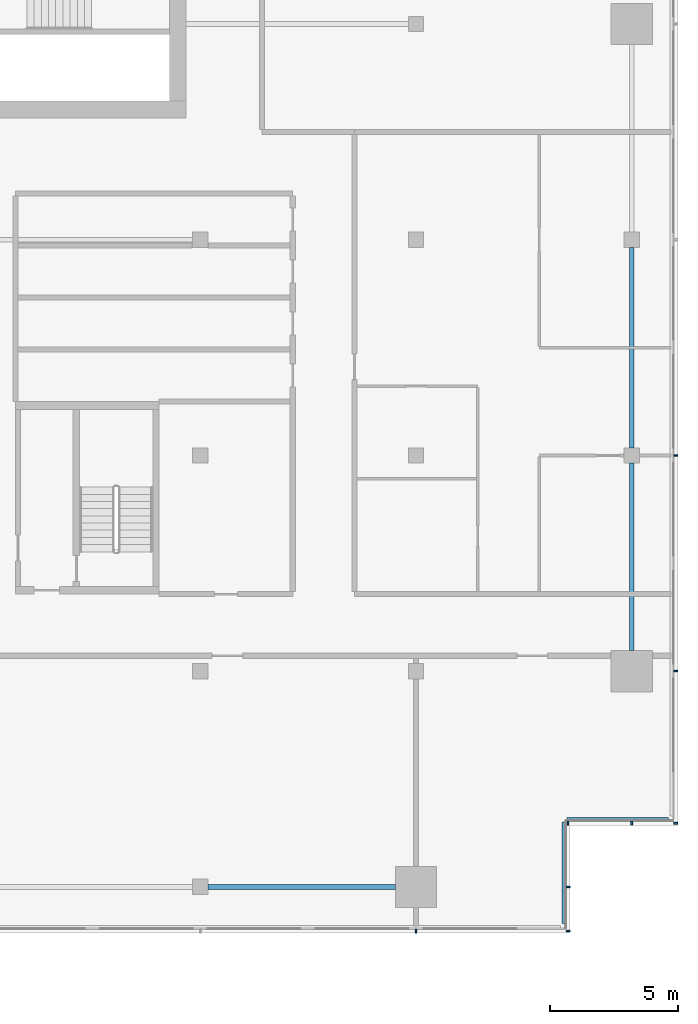
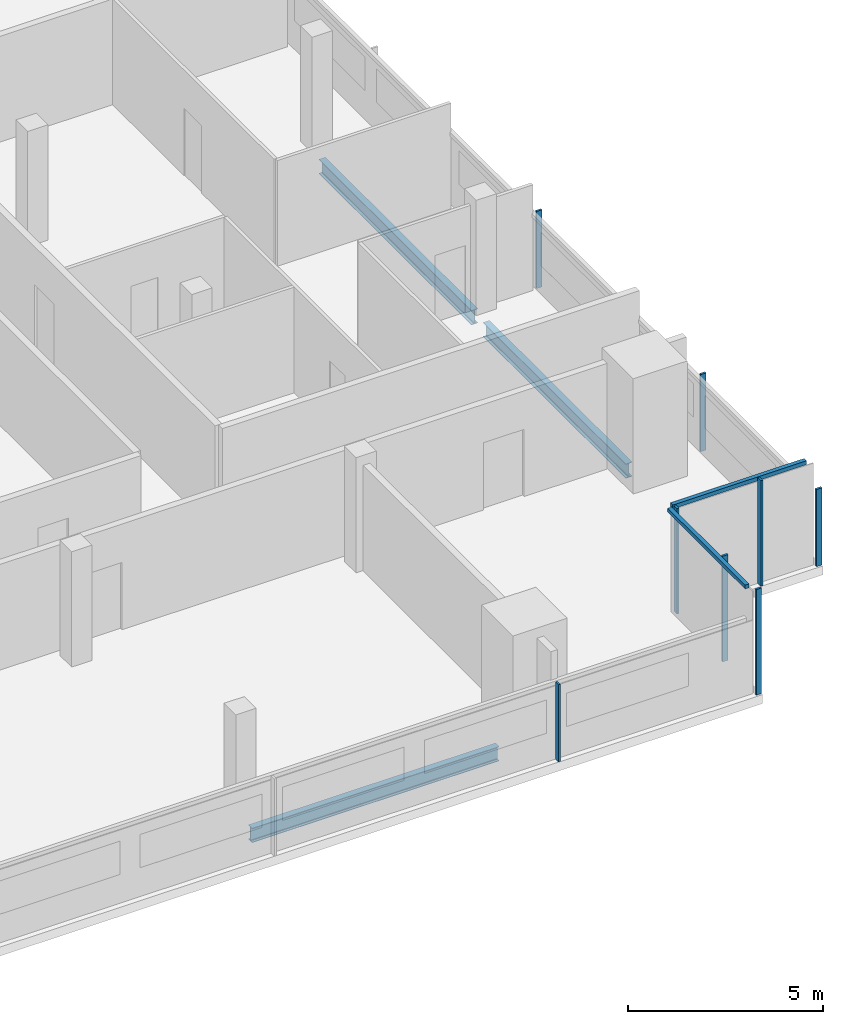
# One storey, part 12 of 25: 10 members, 3 beams, 4 elements without a shape of their own.
"""IFC4 building model written with IfcOpenShell, lengths in metres."""

import ifcopenshell
import ifcopenshell.guid

model = None  # the IFC model being written
_history = None  # IfcOwnerHistory: only IFC2X3 demands one
_inside = {}  # id of a spatial element -> (the spatial element, [elements in it])
_under = {}  # id of a project, library or spatial element -> (it, [spatial elements below it])
_declared = {}  # id of a project -> (the project, [libraries it declares])
_typed = {}  # id of a type object -> (the type object, [elements of that type])
_made_of = {}  # id of a material, layer set ... -> (it, [elements and type objects made of it])


def new_model(schema):
    """Start an empty IFC model of exactly this schema.

    Asked for "IFC4X3", IfcOpenShell would pick the latest addendum, in which some entities
    have other attributes; the version numbers below select the first issue.
    IFC2X3 requires an IfcOwnerHistory on every rooted entity: one is made here for all.
    """
    global model, _history
    if schema == "IFC4X3":
        model = ifcopenshell.file(schema_version=(4, 3, 0, 0))
    else:
        model = ifcopenshell.file(schema=schema)
    _inside.clear()
    _under.clear()
    _declared.clear()
    _typed.clear()
    _made_of.clear()
    _history = None
    if model.schema == "IFC2X3":
        org = make("IfcOrganization", Name="unknown")
        user = make(
            "IfcPersonAndOrganization",
            ThePerson=make("IfcPerson", FamilyName="unknown"),
            TheOrganization=org,
        )
        app = make(
            "IfcApplication",
            ApplicationDeveloper=org,
            Version="unknown",
            ApplicationFullName="unknown",
            ApplicationIdentifier="unknown",
        )
        _history = make(
            "IfcOwnerHistory",
            OwningUser=user,
            OwningApplication=app,
            ChangeAction="ADDED",
            CreationDate=0,
        )
    return model


def make(cls, **values):
    """One entity of the class cls with the attributes given. An attribute that is None is left unset."""
    return model.create_entity(
        cls, **{name: value for name, value in values.items() if value is not None}
    )


def rooted(cls, **values):
    """An entity with a GlobalId (a new one), such as an element, a storey or a relation."""
    return make(cls, GlobalId=ifcopenshell.guid.new(), OwnerHistory=_history, **values)


def si_unit(unit_type, name, prefix=None):
    """IfcSIUnit, for example si_unit("LENGTHUNIT", "METRE", prefix="MILLI")."""
    return make("IfcSIUnit", UnitType=unit_type, Prefix=prefix, Name=name)


def assignment(units):
    """IfcUnitAssignment: the units of a project."""
    return None if units is None else make("IfcUnitAssignment", Units=units)


def point(xyz):
    """IfcCartesianPoint."""
    return None if xyz is None else make("IfcCartesianPoint", Coordinates=xyz)


def direction(xyz):
    """IfcDirection."""
    return None if xyz is None else make("IfcDirection", DirectionRatios=xyz)


def frame(location, z_axis=None, x_axis=None):
    """IfcAxis2Placement3D, a coordinate frame: its origin and axes. An axis left out is left unset."""
    return make(
        "IfcAxis2Placement3D",
        Location=point(location),
        Axis=direction(z_axis),
        RefDirection=direction(x_axis),
    )


def frame_2d(location, x_axis=None):
    """IfcAxis2Placement2D, a coordinate frame in the plane: its origin and x axis."""
    return make(
        "IfcAxis2Placement2D", Location=point(location), RefDirection=direction(x_axis)
    )


def origin():
    """The frame at (0, 0, 0) with its axes left unset."""
    return frame((0.0, 0.0, 0.0))


def origin_2d():
    """The frame at (0, 0) in the plane with its x axis left unset."""
    return frame_2d((0.0, 0.0))


def place(relative_to, where):
    """IfcLocalPlacement: puts the frame where relative to a parent placement (None: the world)."""
    return make(
        "IfcLocalPlacement", PlacementRelTo=relative_to, RelativePlacement=where
    )


def context(
    kind, dimensions, precision=None, world=None, true_north=None, identifier=None
):
    """IfcGeometricRepresentationContext, for example the 3D "Model" context."""
    return make(
        "IfcGeometricRepresentationContext",
        ContextIdentifier=identifier,
        ContextType=kind,
        CoordinateSpaceDimension=dimensions,
        Precision=precision,
        WorldCoordinateSystem=world,
        TrueNorth=true_north,
    )


def subcontext(parent, identifier, kind, view, scale=None):
    """IfcGeometricRepresentationSubContext, for example "Body" below "Model"."""
    return make(
        "IfcGeometricRepresentationSubContext",
        ContextIdentifier=identifier,
        ContextType=kind,
        ParentContext=parent,
        TargetScale=scale,
        TargetView=view,
    )


def project(units=None, contexts=None):
    """IfcProject with its units and contexts."""
    return rooted(
        "IfcProject",
        Name="project",
        RepresentationContexts=contexts,
        UnitsInContext=assignment(units),
    )


def spatial(cls, under=None, at=None, **own):
    """A site, building, storey or space (cls), placed at a placement, below another one or the project."""
    s = rooted(cls, ObjectPlacement=at, **own)
    if under is not None:
        _under.setdefault(under.id(), (under, []))[1].append(s)
    return s


def profile(cls, at=None, kind="AREA", **sizes):
    """A parametric profile (cls). Its sizes go by their IFC names, for example OverallWidth=200.0."""
    return make(cls, ProfileType=kind, Position=at, **sizes)


def rectangle(**sizes):
    """IfcRectangleProfileDef."""
    return profile("IfcRectangleProfileDef", **sizes)


def i_section(**sizes):
    """IfcIShapeProfileDef."""
    return profile("IfcIShapeProfileDef", **sizes)


def extrude(swept, where, along, depth):
    """IfcExtrudedAreaSolid: the profile swept, set in the frame where, extruded along a direction by depth."""
    return make(
        "IfcExtrudedAreaSolid",
        SweptArea=swept,
        Position=where,
        ExtrudedDirection=direction(along),
        Depth=depth,
    )


def shape(context_of_items, identifier, shape_type, items):
    """IfcShapeRepresentation: the items that make up one representation, for example the "Body"."""
    return make(
        "IfcShapeRepresentation",
        ContextOfItems=context_of_items,
        RepresentationIdentifier=identifier,
        RepresentationType=shape_type,
        Items=items,
    )


def material(Name=None, Category=None):
    """IfcMaterial."""
    return make("IfcMaterial", Name=Name, Category=Category)


def material_profile(
    of_material, cross_section, Name=None, Category=None, Priority=None
):
    """IfcMaterialProfile: a cross section and its material."""
    return make(
        "IfcMaterialProfile",
        Name=Name,
        Material=of_material,
        Profile=cross_section,
        Priority=Priority,
        Category=Category,
    )


def profile_set(profiles, Name=None, composite=None):
    """IfcMaterialProfileSet."""
    return make(
        "IfcMaterialProfileSet",
        Name=Name,
        MaterialProfiles=profiles,
        CompositeProfile=composite,
    )


def made_of(thing, what):
    """Note that an element or type object is made of a material, layer set ...; save() writes the relation."""
    if what is not None:
        _made_of.setdefault(what.id(), (what, []))[1].append(thing)
    return thing


def type_object(cls, material=None, **own):
    """A type object (cls), such as IfcWallType, which elements share."""
    return made_of(rooted(cls, **own), material)


def element(
    cls,
    number,
    at=None,
    inside=None,
    cuts=None,
    type_object=None,
    material=None,
    context=None,
    identifier="Body",
    shape_type=None,
    held_by="IfcProductDefinitionShape",
    body=None,
    shapes=None,
    **own,
):
    """One element of the class cls, such as IfcWall. Its Tag is "e" and its number.

    at: its placement. inside: the storey or other place that contains it. cuts: it is an
    opening in that element (IfcRelVoidsElement). A single representation is given by context,
    identifier, shape_type and body (its items); several are given by shapes. held_by: the class
    of the entity that holds the representations. save() writes the other relations.
    """
    e = rooted(cls, Tag="e%d" % number, ObjectPlacement=at, **own)
    if body is not None:
        shapes = [shape(context, identifier, shape_type, body)]
    if shapes is not None:
        e.Representation = make(held_by, Representations=shapes)
    if inside is not None:
        _inside.setdefault(inside.id(), (inside, []))[1].append(e)
    if cuts is not None:
        rooted(
            "IfcRelVoidsElement", RelatingBuildingElement=cuts, RelatedOpeningElement=e
        )
    if type_object is not None:
        _typed.setdefault(type_object.id(), (type_object, []))[1].append(e)
    return made_of(e, material)


def aggregate(whole, parts):
    """IfcRelAggregates: a whole, such as a stair, and the parts it consists of."""
    return rooted("IfcRelAggregates", RelatingObject=whole, RelatedObjects=parts)


def save(model, path):
    """Write the relations noted so far, then the file.

    IfcRelAggregates (storeys below a building ...), IfcRelContainedInSpatialStructure (elements
    in a storey), IfcRelDefinesByType, IfcRelAssociatesMaterial and IfcRelDeclares: one each for
    every whole, place, type object, material and project.
    """
    for whole, parts in _under.values():
        aggregate(whole, parts)
    for where, things in _inside.values():
        rooted(
            "IfcRelContainedInSpatialStructure",
            RelatedElements=things,
            RelatingStructure=where,
        )
    for kind, things in _typed.values():
        rooted("IfcRelDefinesByType", RelatedObjects=things, RelatingType=kind)
    for what, things in _made_of.values():
        rooted("IfcRelAssociatesMaterial", RelatedObjects=things, RelatingMaterial=what)
    for by, libraries in _declared.values():
        rooted("IfcRelDeclares", RelatingContext=by, RelatedDefinitions=libraries)
    model.write(path)


model = new_model("IFC4")

# Units and contexts
model_context = context("Model", 3, precision=1e-05, world=origin(), true_north=direction((0.0, 1.0)))
body_context = subcontext(model_context, "Body", "Model", "MODEL_VIEW")
ifc_project = project(units=[si_unit("LENGTHUNIT", "METRE"), si_unit("AREAUNIT", "SQUARE_METRE"), si_unit("VOLUMEUNIT", "CUBIC_METRE"), si_unit("PLANEANGLEUNIT", "RADIAN"), si_unit("MASSUNIT", "GRAM", prefix="KILO")], contexts=[model_context])

# Site, building, storey
site_placement = place(None, origin())
site = spatial("IfcSite", under=ifc_project, at=site_placement, CompositionType="ELEMENT")
building_placement = place(site_placement, origin())
building = spatial("IfcBuilding", under=site, at=building_placement, Name="Saffron Gate Tower", CompositionType="ELEMENT")
storey_placement = place(building_placement, frame((0.0, 0.0, 248.699951171875)))
storey = spatial("IfcBuildingStorey", under=building, at=storey_placement, Name="L61", CompositionType="ELEMENT", Elevation=248.699951171875)

# Beams
ifc_material_1 = material(Name="Structural steel S355", Category="steel")
ifc_material_profile_1 = material_profile(ifc_material_1, i_section(OverallWidth=0.18994140625, OverallDepth=0.449951171875, WebThickness=0.009521484375, FlangeThickness=0.0146484375, FilletRadius=0.02099609375, at=origin_2d()))
ifc_profile_set_1 = profile_set([ifc_material_profile_1], Name="Structural steel S355")
beam_type = type_object("IfcBeamType", Name="B7 IPE 450", PredefinedType="SPANDREL", material=ifc_profile_set_1)
for number, where, z_axis, x_axis, name in (
    (1, (108.89990234375, 31.800048828125, -0.5048828125), (1.0, 0.0, 0.0), (0.0, 1.0, 0.0), "B7 SPANDREL BEAM"),
    (2, (125.39990234375, 41.0, -0.5048828125), (0.0, 1.0, 0.0), (-1.0, 0.0, 0.0), "B7 SPANDREL BEAM"),
):
    element("IfcBeam", number, at=place(storey_placement, frame(where, z_axis=z_axis, x_axis=x_axis)), inside=storey, type_object=beam_type, Name=name, PredefinedType="SPANDREL", context=body_context, shape_type="SweptSolid", body=[
        extrude(i_section(OverallWidth=0.18994140625, OverallDepth=0.449951171875, WebThickness=0.009521484375, FlangeThickness=0.0146484375, FilletRadius=0.02099609375, at=origin_2d()), origin(), (0.0, 0.0, 1.0), 7.300048828125),
    ])
beam_placement = place(storey_placement, frame((125.39990234375, 48.89990234375, -0.5048828125), z_axis=(0.0, 1.0, 0.0), x_axis=(-1.0, 0.0, 0.0)))
element("IfcBeam", 3, at=beam_placement, inside=storey, type_object=beam_type, Name="B7 SPANDREL BEAM", PredefinedType="SPANDREL", context=body_context, shape_type="SweptSolid", body=[
    extrude(i_section(OverallWidth=0.18994140625, OverallDepth=0.449951171875, WebThickness=0.009521484375, FlangeThickness=0.0146484375, FilletRadius=0.02099609375, at=origin_2d()), origin(), (0.0, 0.0, 1.0), 7.800048828125),
])

# Curtain wall, member
ifc_material_2 = material(Name="Aluminium, bronze anodised", Category="aluminium")
curtain_wall_type_1 = type_object("IfcCurtainWallType", Name="CWS1 curtain wall front facade", PredefinedType="NOTDEFINED", material=ifc_material_2)
curtain_wall_1_placement = place(storey_placement, origin())
curtain_wall_1 = element("IfcCurtainWall", 4, at=curtain_wall_1_placement, inside=storey, type_object=curtain_wall_type_1, Name="CWS1 run 1", PredefinedType="NOTDEFINED")
ifc_material_profile_2 = material_profile(ifc_material_2, rectangle(XDim=0.159912109375, YDim=0.06005859375, at=origin_2d()))
ifc_profile_set_2 = profile_set([ifc_material_profile_2], Name="Aluminium, bronze anodised")
member_type_1 = type_object("IfcMemberType", Name="CWS1 mullion 60x160", PredefinedType="MULLION", material=ifc_profile_set_2)
member_1_placement = place(storey_placement, frame((117.0, 30.080078125, 0.0), z_axis=(0.0, 0.0, 1.0), x_axis=(0.0, 1.0, 0.0)))
member_1 = element("IfcMember", 5, at=member_1_placement, type_object=member_type_1, Name="CWS1 mullion 9", PredefinedType="MULLION", context=body_context, shape_type="SweptSolid", body=[
    extrude(rectangle(XDim=0.159912109375, YDim=0.06005859375, at=origin_2d()), origin(), (0.0, 0.0, 1.0), 2.41015625),
])
aggregate(curtain_wall_1, [member_1])

# Curtain wall, members
curtain_wall_type_2 = type_object("IfcCurtainWallType", Name="CWS2 curtain wall side facades", PredefinedType="NOTDEFINED", material=ifc_material_2)
curtain_wall_2_placement = place(storey_placement, origin())
curtain_wall_2 = element("IfcCurtainWall", 6, at=curtain_wall_2_placement, inside=storey, type_object=curtain_wall_type_2, Name="CWS2 run 4", PredefinedType="NOTDEFINED")
ifc_material_profile_3 = material_profile(ifc_material_2, rectangle(XDim=0.159912109375, YDim=0.06005859375, at=origin_2d()))
ifc_profile_set_3 = profile_set([ifc_material_profile_3], Name="Aluminium, bronze anodised")
member_type_2 = type_object("IfcMemberType", Name="CWS2 mullion 60x160", PredefinedType="MULLION", material=ifc_profile_set_3)
member_2_placement = place(storey_placement, frame((127.1201171875, 34.280029296875, 0.0), z_axis=(0.0, 0.0, 1.0), x_axis=(-1.0, 0.0, 0.0)))
member_2 = element("IfcMember", 7, at=member_2_placement, type_object=member_type_2, Name="CWS2 mullion 1", PredefinedType="MULLION", context=body_context, shape_type="SweptSolid", body=[
    extrude(rectangle(XDim=0.159912109375, YDim=0.06005859375, at=origin_2d()), origin(), (0.0, 0.0, 1.0), 2.41015625),
])
member_3_placement = place(storey_placement, frame((127.1201171875, 40.199951171875, 0.0), z_axis=(0.0, 0.0, 1.0), x_axis=(-1.0, 0.0, 0.0)))
member_3 = element("IfcMember", 8, at=member_3_placement, type_object=member_type_2, Name="CWS2 mullion 2", PredefinedType="MULLION", context=body_context, shape_type="SweptSolid", body=[
    extrude(rectangle(XDim=0.159912109375, YDim=0.06005859375, at=origin_2d()), origin(), (0.0, 0.0, 1.0), 2.41015625),
])
member_4_placement = place(storey_placement, frame((127.1201171875, 48.60009765625, 0.0), z_axis=(0.0, 0.0, 1.0), x_axis=(-1.0, 0.0, 0.0)))
member_4 = element("IfcMember", 9, at=member_4_placement, type_object=member_type_2, Name="CWS2 mullion 3", PredefinedType="MULLION", context=body_context, shape_type="SweptSolid", body=[
    extrude(rectangle(XDim=0.159912109375, YDim=0.06005859375, at=origin_2d()), origin(), (0.0, 0.0, 1.0), 2.41015625),
])
aggregate(curtain_wall_2, [member_2, member_3, member_4])

# Curtain wall, member
curtain_wall_type_3 = type_object("IfcCurtainWallType", Name="CWS4 curtain wall corner returns", PredefinedType="NOTDEFINED", material=ifc_material_2)
curtain_wall_3_placement = place(storey_placement, origin())
curtain_wall_3 = element("IfcCurtainWall", 10, at=curtain_wall_3_placement, inside=storey, type_object=curtain_wall_type_3, Name="CWS4 run 2", PredefinedType="NOTDEFINED")
ifc_material_profile_4 = material_profile(ifc_material_2, rectangle(XDim=0.1201171875, YDim=0.1201171875, at=origin_2d()))
ifc_profile_set_4 = profile_set([ifc_material_profile_4], Name="Aluminium, bronze anodised")
member_type_3 = type_object("IfcMemberType", Name="CWS4 head transom", PredefinedType="USERDEFINED", material=ifc_profile_set_4)
member_5_placement = place(storey_placement, frame((122.751953125, 30.367919921875, 3.239990234375), z_axis=(0.0, 1.0, 0.0), x_axis=(-1.0, 0.0, 0.0)))
member_5 = element("IfcMember", 11, at=member_5_placement, type_object=member_type_3, Name="CWS4 head transom", ObjectType="TRANSOM", PredefinedType="USERDEFINED", context=body_context, shape_type="SweptSolid", body=[
    extrude(rectangle(XDim=0.1201171875, YDim=0.1201171875, at=origin_2d()), origin(), (0.0, 0.0, 1.0), 3.9599609375),
])

curtain_wall_4_placement = place(storey_placement, origin())
curtain_wall_4 = element("IfcCurtainWall", 12, at=curtain_wall_4_placement, inside=storey, type_object=curtain_wall_type_3, Name="CWS4 run 3", PredefinedType="NOTDEFINED")
member_6_placement = place(storey_placement, frame((122.8720703125, 34.447998046875, 3.239990234375), z_axis=(1.0, 0.0, 0.0), x_axis=(0.0, 1.0, 0.0)))
member_6 = element("IfcMember", 13, at=member_6_placement, type_object=member_type_3, Name="CWS4 head transom", ObjectType="TRANSOM", PredefinedType="USERDEFINED", context=body_context, shape_type="SweptSolid", body=[
    extrude(rectangle(XDim=0.1201171875, YDim=0.1201171875, at=origin_2d()), origin(), (0.0, 0.0, 1.0), 3.9599609375),
])

# Member
ifc_material_profile_5 = material_profile(ifc_material_2, rectangle(XDim=0.159912109375, YDim=0.06005859375, at=origin_2d()))
ifc_profile_set_5 = profile_set([ifc_material_profile_5], Name="Aluminium, bronze anodised")
member_type_4 = type_object("IfcMemberType", Name="CWS4 mullion 60x160", PredefinedType="MULLION", material=ifc_profile_set_5)
member_7_placement = place(storey_placement, frame((122.919921875, 30.080078125, 0.0), z_axis=(0.0, 0.0, 1.0), x_axis=(-1.0, 0.0, 0.0)))
member_7 = element("IfcMember", 14, at=member_7_placement, type_object=member_type_4, Name="CWS4 mullion 1", PredefinedType="MULLION", context=body_context, shape_type="SweptSolid", body=[
    extrude(rectangle(XDim=0.159912109375, YDim=0.06005859375, at=origin_2d()), origin(), (0.0, 0.0, 1.0), 3.300048828125),
])

member_8_placement = place(storey_placement, frame((122.919921875, 31.800048828125, 0.0), z_axis=(0.0, 0.0, 1.0), x_axis=(-1.0, 0.0, 0.0)))
member_8 = element("IfcMember", 15, at=member_8_placement, type_object=member_type_4, Name="CWS4 mullion 2", PredefinedType="MULLION", context=body_context, shape_type="SweptSolid", body=[
    extrude(rectangle(XDim=0.159912109375, YDim=0.06005859375, at=origin_2d()), origin(), (0.0, 0.0, 1.0), 3.300048828125),
])

aggregate(curtain_wall_3, [member_7, member_8, member_5])

member_9_placement = place(storey_placement, frame((122.919921875, 34.280029296875, 0.0), z_axis=(0.0, 0.0, 1.0), x_axis=(0.0, 1.0, 0.0)))
member_9 = element("IfcMember", 16, at=member_9_placement, type_object=member_type_4, Name="CWS4 mullion 1", PredefinedType="MULLION", context=body_context, shape_type="SweptSolid", body=[
    extrude(rectangle(XDim=0.159912109375, YDim=0.06005859375, at=origin_2d()), origin(), (0.0, 0.0, 1.0), 3.300048828125),
])

member_10_placement = place(storey_placement, frame((125.39990234375, 34.280029296875, 0.0), z_axis=(0.0, 0.0, 1.0), x_axis=(0.0, 1.0, 0.0)))
member_10 = element("IfcMember", 17, at=member_10_placement, type_object=member_type_4, Name="CWS4 mullion 2", PredefinedType="MULLION", context=body_context, shape_type="SweptSolid", body=[
    extrude(rectangle(XDim=0.159912109375, YDim=0.06005859375, at=origin_2d()), origin(), (0.0, 0.0, 1.0), 3.300048828125),
])

aggregate(curtain_wall_4, [member_9, member_10, member_6])

save(model, "model.ifc")
